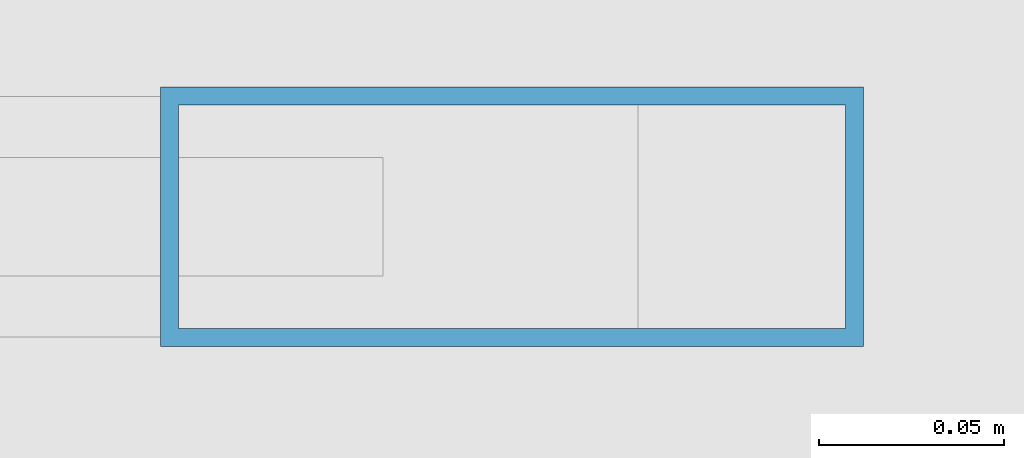
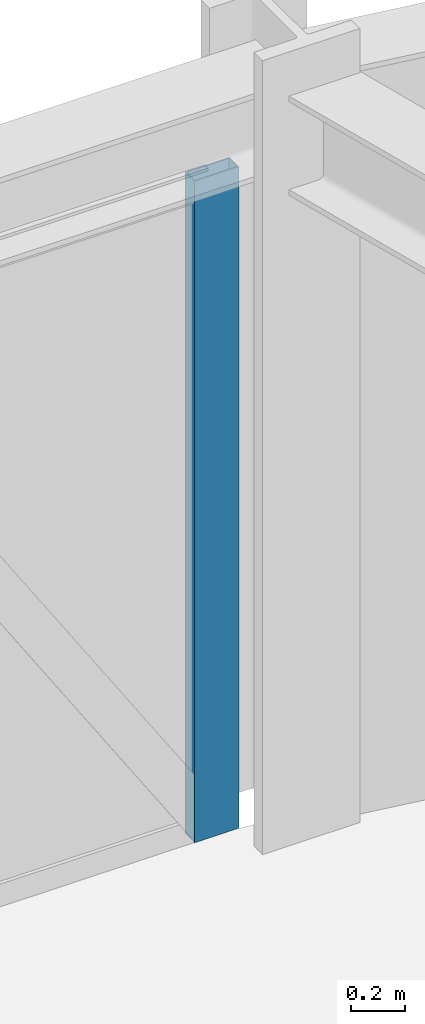
# One storey, part 10 of 17: 1 member, 1 element without a shape of its own.
"""IFC4 building model written with IfcOpenShell, lengths in metres."""

from ifc_helpers import new_model, si_unit, derived_unit, direction, frame, origin, origin_2d, place, context, subcontext, project, spatial, hollow_rectangle, extrude, source, transform, mapped, material, layer, layer_set, material_profile, profile_set, type_object, element, aggregate, save


model = new_model("IFC4")

# Units and contexts
model_context = context("Model", 3, precision=1e-05, world=origin(), true_north=direction((0.0, 1.0)))
body_context = subcontext(model_context, "Body", "Model", "MODEL_VIEW")
ifc_project = project(units=[si_unit("LENGTHUNIT", "METRE"), si_unit("AREAUNIT", "SQUARE_METRE"), si_unit("VOLUMEUNIT", "CUBIC_METRE"), si_unit("PLANEANGLEUNIT", "RADIAN"), si_unit("MASSUNIT", "GRAM", prefix="KILO"), derived_unit("THERMALTRANSMITTANCEUNIT", [(si_unit("POWERUNIT", "WATT"), 1), (si_unit("LENGTHUNIT", "METRE"), -2), (si_unit("THERMODYNAMICTEMPERATUREUNIT", "KELVIN"), -1)])], contexts=[model_context])

# Site, building, storey
site_placement = place(None, origin())
site = spatial("IfcSite", under=ifc_project, at=site_placement, CompositionType="ELEMENT")
building_placement = place(site_placement, origin())
building = spatial("IfcBuilding", under=site, at=building_placement, Name="Korsvarv Bourse and Concert Hall", CompositionType="ELEMENT")
storey_placement = place(building_placement, frame((0.0, 0.0, 102.60009765625)))
storey = spatial("IfcBuildingStorey", under=building, at=storey_placement, Name="L25", CompositionType="ELEMENT", Elevation=102.60009765625)

# Curtain wall, member
ifc_material_1 = material(Name="Anodised aluminium and triple low-E glazing", Category="glass")
ifc_layer = layer(ifc_material_1, 0.2099609375)
ifc_layer_set = layer_set([ifc_layer], Name="Anodised aluminium and triple low-E glazing")
curtain_wall_type = type_object("IfcCurtainWallType", Name="CW-SYS-2", PredefinedType="NOTDEFINED", material=ifc_layer_set)
curtain_wall_placement = place(storey_placement, origin())
curtain_wall = element("IfcCurtainWall", 1, at=curtain_wall_placement, inside=storey, type_object=curtain_wall_type, Name="L25 CW2 curtain wall CW-L25-F03", PredefinedType="NOTDEFINED")
ifc_material_2 = material(Name="Extruded aluminium EN AW-6063 T66", Category="aluminium")
ifc_material_profile = material_profile(ifc_material_2, hollow_rectangle(XDim=0.070068359375, YDim=0.18994140625, WallThickness=0.0048828125, at=origin_2d()), Name="ALU-M 70x190")
ifc_profile_set = profile_set([ifc_material_profile], Name="Extruded aluminium EN AW-6063 T66")
member_type = type_object("IfcMemberType", Name="CWM-190", PredefinedType="MULLION", material=ifc_profile_set)
shared_shape = source(origin(), body_context, "Body", "SweptSolid", [
    extrude(hollow_rectangle(XDim=0.070068359375, YDim=0.18994140625, WallThickness=0.0048828125, at=origin_2d()), origin(), (0.0, 0.0, 1.0), 3.0),
])
member_placement = place(storey_placement, frame((42.85546875, 54.8515625, 0.0), z_axis=(0.0, 0.0, 1.0), x_axis=(0.0, -1.0, 0.0)))
member = element("IfcMember", 2, at=member_placement, type_object=member_type, Name="CW2 mullion 1", PredefinedType="MULLION", context=body_context, shape_type="MappedRepresentation", body=[
    mapped(shared_shape, transform((0.0, 0.0, 0.0), scale=1.0)),
])
aggregate(curtain_wall, [member])

save(model, "model.ifc")
